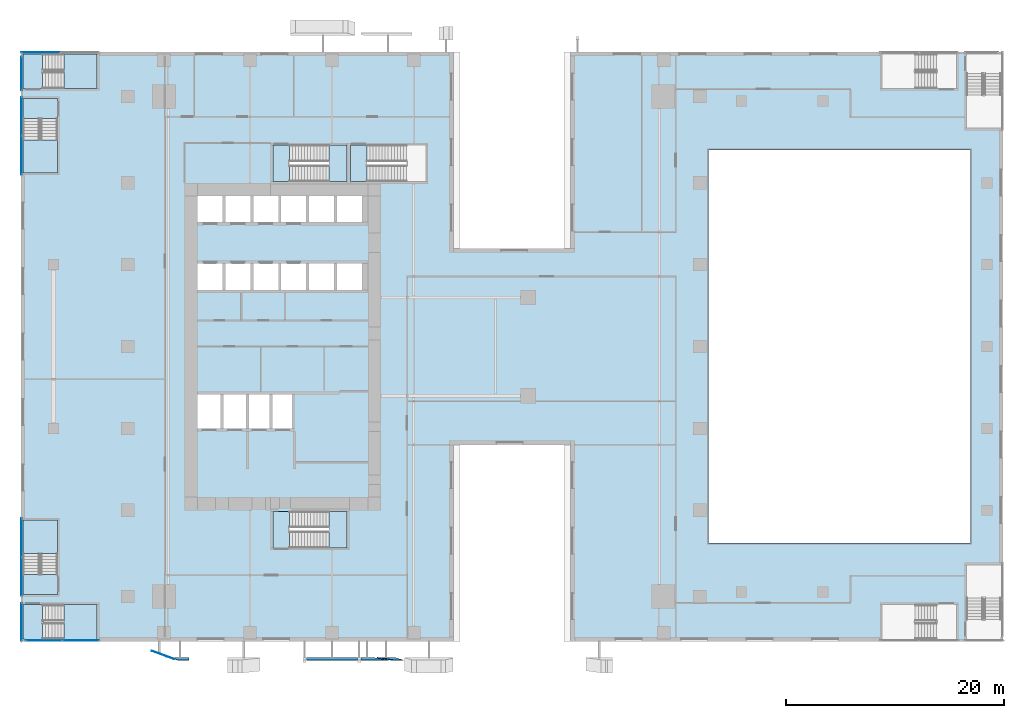
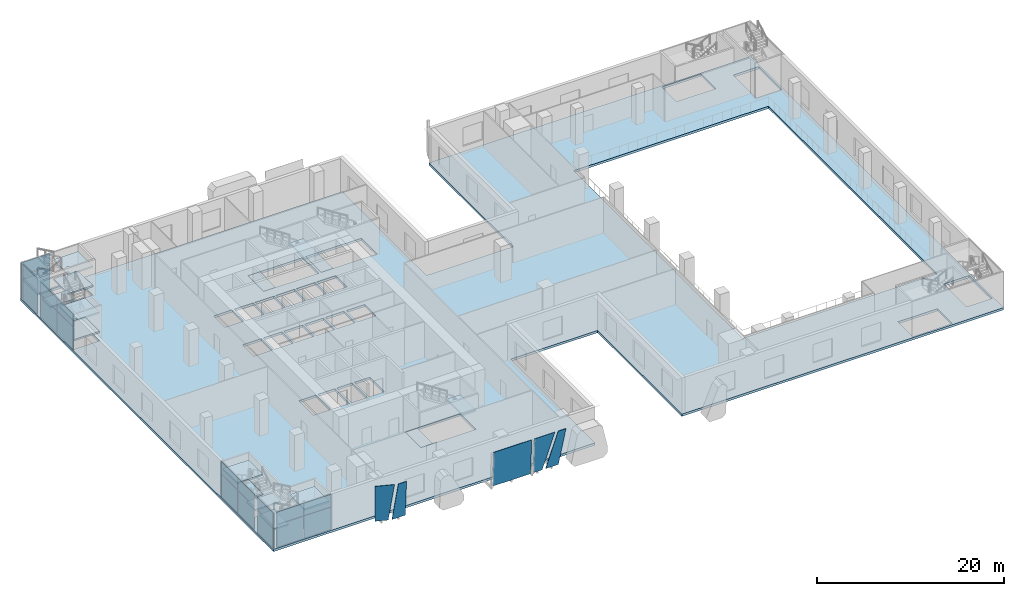
# One storey, part 8 of 23: 23 plates, 18 slabs, 12 elements without a shape of their own.
"""IFC4 building model written with IfcOpenShell, lengths in metres."""

from ifc_helpers import new_model, si_unit, direction, frame, origin, origin_2d, place, context, subcontext, project, spatial, polyline, rectangle, outline, extrude, source, transform, mapped, material, layer, layer_set, type_object, element, aggregate, save


model = new_model("IFC4")

# Units and contexts
model_context = context("Model", 3, precision=1e-05, world=origin(), true_north=direction((0.0, 1.0)))
body_context = subcontext(model_context, "Body", "Model", "MODEL_VIEW")
ifc_project = project(units=[si_unit("LENGTHUNIT", "METRE"), si_unit("AREAUNIT", "SQUARE_METRE"), si_unit("VOLUMEUNIT", "CUBIC_METRE"), si_unit("PLANEANGLEUNIT", "RADIAN"), si_unit("MASSUNIT", "GRAM", prefix="KILO")], contexts=[model_context])

# Site, building, storey
site_placement = place(None, origin())
site = spatial("IfcSite", under=ifc_project, at=site_placement, CompositionType="ELEMENT")
building_placement = place(site_placement, origin())
building = spatial("IfcBuilding", under=site, at=building_placement, Name="Khomas Fold Tower", CompositionType="ELEMENT")
storey_placement = place(building_placement, frame((0.0, 0.0, 18.5)))
storey = spatial("IfcBuildingStorey", under=building, at=storey_placement, Name="L03", CompositionType="ELEMENT", Elevation=18.5)

# Plates
ifc_material_1 = material(Name="Clear laminated glass", Category="glass")
ifc_layer_1 = layer(ifc_material_1, 0.0400390625)
ifc_layer_set_1 = layer_set([ifc_layer_1], Name="Clear laminated glass")
plate_type_1 = type_object("IfcPlateType", Name="SK-Clear laminated glass leaf", PredefinedType="SHEET", material=ifc_layer_set_1)
plate_1_placement = place(storey_placement, frame((6.39990234375, -1.4765625, 0.0), z_axis=(0.0, 0.99863156095, 0.052297279792), x_axis=(-1.0, 0.0, 0.0)))
element("IfcPlate", 1, at=plate_1_placement, inside=storey, type_object=plate_type_1, Name="OUTER SKIN glass L03 SG098-1", PredefinedType="SHEET", context=body_context, shape_type="SweptSolid", body=[
    extrude(outline(polyline([(0.0, 0.0), (1.64501953125, 0.0), (1.002685546875, 4.556283824831729), (0.0, 4.556283824831729), (0.0, 0.0)])), origin(), (0.0, 0.0, -1.0), 0.0400390625),
])
plate_2_placement = place(storey_placement, frame((4.993408203125, -1.639892578125, 4.550048828125), z_axis=(-0.348054224022, -0.93747440324, 2.0272733e-05), x_axis=(-0.139590228086, 0.051803997624, -0.988853332933)))
element("IfcPlate", 2, at=plate_2_placement, inside=storey, type_object=plate_type_1, Name="OUTER SKIN glass L03 SG098-2", PredefinedType="SHEET", context=body_context, shape_type="SweptSolid", body=[
    extrude(outline(polyline([(0.0, 0.0), (4.601338417395284, -1.1102230246251565e-16), (4.8159257067858885, -1.4251546359244451), (0.31659475808558885, -2.1026244462339356), (0.0, 0.0)])), origin(), (0.0, 0.0, -1.0), 0.0400390625),
])
plate_3_placement = place(storey_placement, frame((25.104736328125, -1.71484375, 4.550048828125), z_axis=(0.0, 0.99863156095, 0.052297279792), x_axis=(1.0, 0.0, 0.0)))
element("IfcPlate", 3, at=plate_3_placement, inside=storey, type_object=plate_type_1, Name="OUTER SKIN glass L03 SG102-3", PredefinedType="SHEET", context=body_context, shape_type="SweptSolid", body=[
    extrude(outline(polyline([(0.0, 0.0), (0.953125, 0.0), (0.14892578125, 4.556283824831729), (-1.428466796875, 4.556283824831729), (0.0, 0.0)])), origin(), (0.0, 0.0, -1.0), 0.0400390625),
])
plate_4_placement = place(storey_placement, frame((21.830078125, -1.71484375, 4.550048828125), z_axis=(0.0, 0.99863156095, 0.052297279792), x_axis=(0.0, 0.052297279792, -0.99863156095)))
element("IfcPlate", 4, at=plate_4_placement, inside=storey, type_object=plate_type_1, Name="OUTER SKIN glass L03 SG101-5", PredefinedType="SHEET", context=body_context, shape_type="SweptSolid", body=[
    extrude(outline(polyline([(0.0, 0.0), (4.556283824831729, 0.0), (4.556283824831729, 4.66015625), (0.0, 4.66015625), (0.0, 0.0)])), origin(), (0.0, 0.0, -1.0), 0.0400390625),
])
plate_5_placement = place(storey_placement, frame((24.685546875, -1.71484375, 4.550048828125), z_axis=(0.0, 0.99863156095, 0.052297279792), x_axis=(-0.299204430388, 0.049901490782, -0.952883282493)))
element("IfcPlate", 5, at=plate_5_placement, inside=storey, type_object=plate_type_1, Name="OUTER SKIN glass L03 SG102-7", PredefinedType="SHEET", context=body_context, shape_type="SweptSolid", body=[
    extrude(outline(polyline([(0.0, 0.0), (4.7750326946896795, 0.0), (5.100242197640995, 1.0371214771907928), (0.7526861451954963, 2.400381783686867), (0.0, 0.0)])), origin(), (0.0, 0.0, -1.0), 0.0400390625),
])

# Slab
ifc_material_2 = material(Name="Concrete C40/50", Category="concrete")
ifc_layer_2 = layer(ifc_material_2, 0.300048828125)
ifc_layer_set_2 = layer_set([ifc_layer_2], Name="Concrete C40/50")
slab_type_1 = type_object("IfcSlabType", Name="RC floor slab 300", PredefinedType="FLOOR", material=ifc_layer_set_2)
shared_shape_1 = source(origin(), body_context, "Body", "SweptSolid", [
    extrude(outline(polyline([(-9.0, 0.0), (30.64990234375, 0.0), (30.64990234375, 18.0), (41.35009765625, 18.0), (41.35009765625, 0.0), (81.0, 0.0), (81.0, 54.0), (41.35009765625, 54.0), (41.35009765625, 36.0), (30.64990234375, 36.0), (30.64990234375, 54.0), (-9.0, 54.0), (-9.0, 0.0)]), holes=[polyline([(-8.800048828125, 6.2099609375), (-8.800048828125, 11.10009765625), (-5.64990234375, 11.10009765625), (-5.64990234375, 6.2099609375), (-8.800048828125, 6.2099609375)]), polyline([(-8.800048828125, 42.89990234375), (-8.800048828125, 47.7900390625), (-5.64990234375, 47.7900390625), (-5.64990234375, 42.89990234375), (-8.800048828125, 42.89990234375)]), polyline([(-6.889892578125, 0.199951171875), (-6.889892578125, 3.35009765625), (-2.0, 3.35009765625), (-2.0, 0.199951171875), (-6.889892578125, 0.199951171875)]), polyline([(-6.889892578125, 50.64990234375), (-6.889892578125, 53.800048828125), (-2.0, 53.800048828125), (-2.0, 50.64990234375), (-6.889892578125, 50.64990234375)]), polyline([(7.199951171875, 19.5), (7.199951171875, 22.60009765625), (9.300048828125, 22.60009765625), (9.300048828125, 19.5), (7.199951171875, 19.5)]), polyline([(7.199951171875, 32.199951171875), (7.199951171875, 34.60009765625), (9.5, 34.60009765625), (9.5, 32.199951171875), (7.199951171875, 32.199951171875)]), polyline([(7.199951171875, 38.39990234375), (7.199951171875, 40.800048828125), (9.5, 40.800048828125), (9.5, 38.39990234375), (7.199951171875, 38.39990234375)]), polyline([(9.550048828125, 19.5), (9.550048828125, 22.60009765625), (11.64990234375, 22.60009765625), (11.64990234375, 19.5), (9.550048828125, 19.5)]), polyline([(9.75, 32.199951171875), (9.75, 34.60009765625), (12.050048828125, 34.60009765625), (12.050048828125, 32.199951171875), (9.75, 32.199951171875)]), polyline([(9.75, 38.39990234375), (9.75, 40.800048828125), (12.050048828125, 40.800048828125), (12.050048828125, 38.39990234375), (9.75, 38.39990234375)]), polyline([(11.89990234375, 19.5), (11.89990234375, 22.60009765625), (13.800048828125, 22.60009765625), (13.800048828125, 19.5), (11.89990234375, 19.5)]), polyline([(12.300048828125, 32.199951171875), (12.300048828125, 34.60009765625), (14.60009765625, 34.60009765625), (14.60009765625, 32.199951171875), (12.300048828125, 32.199951171875)]), polyline([(12.300048828125, 38.39990234375), (12.300048828125, 40.800048828125), (14.60009765625, 40.800048828125), (14.60009765625, 38.39990234375), (12.300048828125, 38.39990234375)]), polyline([(14.050048828125, 19.5), (14.050048828125, 22.60009765625), (15.949951171875, 22.60009765625), (15.949951171875, 19.5), (14.050048828125, 19.5)]), polyline([(14.10009765625, 8.550048828125), (14.10009765625, 11.89990234375), (20.89990234375, 11.89990234375), (20.89990234375, 8.550048828125), (14.10009765625, 8.550048828125)]), polyline([(14.10009765625, 42.10009765625), (14.10009765625, 45.449951171875), (20.89990234375, 45.449951171875), (20.89990234375, 42.10009765625), (14.10009765625, 42.10009765625)]), polyline([(14.85009765625, 32.199951171875), (14.85009765625, 34.60009765625), (17.14990234375, 34.60009765625), (17.14990234375, 32.199951171875), (14.85009765625, 32.199951171875)]), polyline([(14.85009765625, 38.39990234375), (14.85009765625, 40.800048828125), (17.14990234375, 40.800048828125), (17.14990234375, 38.39990234375), (14.85009765625, 38.39990234375)]), polyline([(17.39990234375, 32.199951171875), (17.39990234375, 34.60009765625), (19.699951171875, 34.60009765625), (19.699951171875, 32.199951171875), (17.39990234375, 32.199951171875)]), polyline([(17.39990234375, 38.39990234375), (17.39990234375, 40.800048828125), (19.699951171875, 40.800048828125), (19.699951171875, 38.39990234375), (17.39990234375, 38.39990234375)]), polyline([(19.949951171875, 32.199951171875), (19.949951171875, 34.60009765625), (22.25, 34.60009765625), (22.25, 32.199951171875), (19.949951171875, 32.199951171875)]), polyline([(19.949951171875, 38.39990234375), (19.949951171875, 40.800048828125), (22.25, 40.800048828125), (22.25, 38.39990234375), (19.949951171875, 38.39990234375)]), polyline([(21.199951171875, 42.10009765625), (21.199951171875, 45.449951171875), (28.10009765625, 45.449951171875), (28.10009765625, 42.10009765625), (21.199951171875, 42.10009765625)]), polyline([(54.0, 9.0), (54.0, 45.0), (78.0, 45.0), (78.0, 9.0), (54.0, 9.0)]), polyline([(69.89990234375, 0.199951171875), (69.89990234375, 3.35009765625), (74.7900390625, 3.35009765625), (74.7900390625, 0.199951171875), (69.89990234375, 0.199951171875)]), polyline([(69.89990234375, 50.64990234375), (69.89990234375, 53.800048828125), (74.7900390625, 53.800048828125), (74.7900390625, 50.64990234375), (69.89990234375, 50.64990234375)]), polyline([(77.64990234375, 2.110107421875), (77.64990234375, 7.0), (80.800048828125, 7.0), (80.800048828125, 2.110107421875), (77.64990234375, 2.110107421875)]), polyline([(77.64990234375, 47.0), (77.64990234375, 51.889892578125), (80.800048828125, 51.889892578125), (80.800048828125, 47.0), (77.64990234375, 47.0)])]), origin(), (0.0, 0.0, 1.0), 0.300048828125),
])
slab_1_placement = place(storey_placement, frame((0.0, 0.0, -0.300048828125)))
element("IfcSlab", 6, at=slab_1_placement, inside=storey, type_object=slab_type_1, Name="S-L03", PredefinedType="FLOOR", context=body_context, shape_type="MappedRepresentation", body=[
    mapped(shared_shape_1, transform((0.0, 0.0, 0.0))),
])

# Curtain wall, plate
ifc_material_3 = material(Name="Aluminium framed double glazing", Category="aluminium")
curtain_wall_type = type_object("IfcCurtainWallType", Name="Shopfront glazing PD-CW", PredefinedType="NOTDEFINED", material=ifc_material_3)
curtain_wall_1_placement = place(storey_placement, origin())
curtain_wall_1 = element("IfcCurtainWall", 7, at=curtain_wall_1_placement, inside=storey, type_object=curtain_wall_type, Name="Podium stair-tower glazing", PredefinedType="NOTDEFINED")
ifc_material_4 = material(Name="Double glazed unit")
ifc_layer_3 = layer(ifc_material_4, 0.031982421875)
ifc_layer_set_3 = layer_set([ifc_layer_3], Name="Double glazed unit")
plate_type_2 = type_object("IfcPlateType", Name="Shopfront glazing panel PD-CW-P", PredefinedType="CURTAIN_PANEL", material=ifc_layer_set_3)
shared_shape_2 = source(origin(), body_context, "Body", "SweptSolid", [
    extrude(rectangle(XDim=3.0400390625, YDim=0.031982421875, at=origin_2d()), origin(), (0.0, 0.0, 1.0), 2.909912109375),
])
plate_6_placement = place(storey_placement, frame((-8.919921875, 52.02001953125, 0.06005859375), z_axis=(0.0, 0.0, 1.0), x_axis=(0.0, -1.0, 0.0)))
plate_6 = element("IfcPlate", 8, at=plate_6_placement, type_object=plate_type_2, Name="PD-CW panel 1.1", PredefinedType="CURTAIN_PANEL", context=body_context, shape_type="MappedRepresentation", body=[
    mapped(shared_shape_2, transform((0.0, 0.0, 0.0))),
])

# Curtain wall, plates
curtain_wall_2_placement = place(storey_placement, origin())
curtain_wall_2 = element("IfcCurtainWall", 9, at=curtain_wall_2_placement, inside=storey, type_object=curtain_wall_type, Name="Podium stair-tower glazing", PredefinedType="NOTDEFINED")
shared_shape_3 = source(origin(), body_context, "Body", "SweptSolid", [
    extrude(rectangle(XDim=3.52001953125, YDim=0.031982421875, at=origin_2d()), origin(), (0.0, 0.0, 1.0), 2.909912109375),
])
plate_7_placement = place(storey_placement, frame((-8.919921875, 48.090087890625, 0.06005859375), z_axis=(0.0, 0.0, 1.0), x_axis=(0.0, -1.0, 0.0)))
plate_7 = element("IfcPlate", 10, at=plate_7_placement, type_object=plate_type_2, Name="PD-CW panel 1.1", PredefinedType="CURTAIN_PANEL", context=body_context, shape_type="MappedRepresentation", body=[
    mapped(shared_shape_3, transform((0.0, 0.0, 0.0))),
])
plate_8_placement = place(storey_placement, frame((-8.919921875, 44.510009765625, 0.06005859375), z_axis=(0.0, 0.0, 1.0), x_axis=(0.0, -1.0, 0.0)))
plate_8 = element("IfcPlate", 11, at=plate_8_placement, type_object=plate_type_2, Name="PD-CW panel 2.1", PredefinedType="CURTAIN_PANEL", context=body_context, shape_type="MappedRepresentation", body=[
    mapped(shared_shape_3, transform((0.0, 0.0, 0.0))),
])

curtain_wall_3_placement = place(storey_placement, origin())
curtain_wall_3 = element("IfcCurtainWall", 12, at=curtain_wall_3_placement, inside=storey, type_object=curtain_wall_type, Name="Podium stair-tower glazing", PredefinedType="NOTDEFINED")
plate_9_placement = place(storey_placement, frame((-8.919921875, 9.489990234375, 0.06005859375), z_axis=(0.0, 0.0, 1.0), x_axis=(0.0, -1.0, 0.0)))
plate_9 = element("IfcPlate", 13, at=plate_9_placement, type_object=plate_type_2, Name="PD-CW panel 1.1", PredefinedType="CURTAIN_PANEL", context=body_context, shape_type="MappedRepresentation", body=[
    mapped(shared_shape_3, transform((0.0, 0.0, 0.0))),
])
plate_10_placement = place(storey_placement, frame((-8.919921875, 5.909912109375, 0.06005859375), z_axis=(0.0, 0.0, 1.0), x_axis=(0.0, -1.0, 0.0)))
plate_10 = element("IfcPlate", 14, at=plate_10_placement, type_object=plate_type_2, Name="PD-CW panel 2.1", PredefinedType="CURTAIN_PANEL", context=body_context, shape_type="MappedRepresentation", body=[
    mapped(shared_shape_3, transform((0.0, 0.0, 0.0))),
])

# Curtain wall, plate
curtain_wall_4_placement = place(storey_placement, origin())
curtain_wall_4 = element("IfcCurtainWall", 15, at=curtain_wall_4_placement, inside=storey, type_object=curtain_wall_type, Name="Podium stair-tower glazing", PredefinedType="NOTDEFINED")
shared_shape_4 = source(origin(), body_context, "Body", "SweptSolid", [
    extrude(rectangle(XDim=3.43994140625, YDim=0.031982421875, at=origin_2d()), origin(), (0.0, 0.0, 1.0), 2.909912109375),
])
plate_11_placement = place(storey_placement, frame((-8.919921875, 1.780029296875, 0.06005859375), z_axis=(0.0, 0.0, 1.0), x_axis=(0.0, -1.0, 0.0)))
plate_11 = element("IfcPlate", 16, at=plate_11_placement, type_object=plate_type_2, Name="PD-CW panel 1.1", PredefinedType="CURTAIN_PANEL", context=body_context, shape_type="MappedRepresentation", body=[
    mapped(shared_shape_4, transform((0.0, 0.0, 0.0))),
])

# Curtain wall, plates
curtain_wall_5_placement = place(storey_placement, origin())
curtain_wall_5 = element("IfcCurtainWall", 17, at=curtain_wall_5_placement, inside=storey, type_object=curtain_wall_type, Name="Podium stair-tower glazing", PredefinedType="NOTDEFINED")
shared_shape_5 = source(origin(), body_context, "Body", "SweptSolid", [
    extrude(rectangle(XDim=3.31494140625, YDim=0.031982421875, at=origin_2d()), origin(), (0.0, 0.0, 1.0), 2.909912109375),
])
plate_12_placement = place(storey_placement, frame((-6.882568359375, 0.080078125, 0.06005859375), z_axis=(0.0, 0.0, 1.0), x_axis=(1.0, 0.0, 0.0)))
plate_12 = element("IfcPlate", 18, at=plate_12_placement, type_object=plate_type_2, Name="PD-CW panel 1.1", PredefinedType="CURTAIN_PANEL", context=body_context, shape_type="MappedRepresentation", body=[
    mapped(shared_shape_5, transform((0.0, 0.0, 0.0))),
])
plate_13_placement = place(storey_placement, frame((-3.507568359375, 0.080078125, 0.06005859375), z_axis=(0.0, 0.0, 1.0), x_axis=(1.0, 0.0, 0.0)))
plate_13 = element("IfcPlate", 19, at=plate_13_placement, type_object=plate_type_2, Name="PD-CW panel 2.1", PredefinedType="CURTAIN_PANEL", context=body_context, shape_type="MappedRepresentation", body=[
    mapped(shared_shape_5, transform((0.0, 0.0, 0.0))),
])

# Curtain wall, plate
curtain_wall_6_placement = place(storey_placement, origin())
curtain_wall_6 = element("IfcCurtainWall", 20, at=curtain_wall_6_placement, inside=storey, type_object=curtain_wall_type, Name="Podium stair-tower glazing", PredefinedType="NOTDEFINED")
shared_shape_6 = source(origin(), body_context, "Body", "SweptSolid", [
    extrude(rectangle(XDim=3.514892578125, YDim=0.031982421875, at=origin_2d()), origin(), (0.0, 0.0, 1.0), 2.909912109375),
])
plate_14_placement = place(storey_placement, frame((-7.1826171875, 53.919921875, 0.06005859375), z_axis=(0.0, 0.0, 1.0), x_axis=(-1.0, 0.0, 0.0)))
plate_14 = element("IfcPlate", 21, at=plate_14_placement, type_object=plate_type_2, Name="PD-CW panel 2.1", PredefinedType="CURTAIN_PANEL", context=body_context, shape_type="MappedRepresentation", body=[
    mapped(shared_shape_6, transform((0.0, 0.0, 0.0))),
])

# Plate
shared_shape_7 = source(origin(), body_context, "Body", "SweptSolid", [
    extrude(rectangle(XDim=3.0400390625, YDim=0.031982421875, at=origin_2d()), origin(), (0.0, 0.0, 1.0), 1.610107421875),
])
plate_15_placement = place(storey_placement, frame((-8.919921875, 52.02001953125, 3.02978515625), z_axis=(0.0, 0.0, 1.0), x_axis=(0.0, -1.0, 0.0)))
plate_15 = element("IfcPlate", 22, at=plate_15_placement, type_object=plate_type_2, Name="PD-CW panel 1.2", PredefinedType="CURTAIN_PANEL", context=body_context, shape_type="MappedRepresentation", body=[
    mapped(shared_shape_7, transform((0.0, 0.0, 0.0))),
])

aggregate(curtain_wall_1, [plate_6, plate_15])

shared_shape_8 = source(origin(), body_context, "Body", "SweptSolid", [
    extrude(rectangle(XDim=3.52001953125, YDim=0.031982421875, at=origin_2d()), origin(), (0.0, 0.0, 1.0), 1.610107421875),
])
plate_16_placement = place(storey_placement, frame((-8.919921875, 48.090087890625, 3.02978515625), z_axis=(0.0, 0.0, 1.0), x_axis=(0.0, -1.0, 0.0)))
plate_16 = element("IfcPlate", 23, at=plate_16_placement, type_object=plate_type_2, Name="PD-CW panel 1.2", PredefinedType="CURTAIN_PANEL", context=body_context, shape_type="MappedRepresentation", body=[
    mapped(shared_shape_8, transform((0.0, 0.0, 0.0))),
])

plate_17_placement = place(storey_placement, frame((-8.919921875, 44.510009765625, 3.02978515625), z_axis=(0.0, 0.0, 1.0), x_axis=(0.0, -1.0, 0.0)))
plate_17 = element("IfcPlate", 24, at=plate_17_placement, type_object=plate_type_2, Name="PD-CW panel 2.2", PredefinedType="CURTAIN_PANEL", context=body_context, shape_type="MappedRepresentation", body=[
    mapped(shared_shape_8, transform((0.0, 0.0, 0.0))),
])

aggregate(curtain_wall_2, [plate_7, plate_16, plate_8, plate_17])

plate_18_placement = place(storey_placement, frame((-8.919921875, 9.489990234375, 3.02978515625), z_axis=(0.0, 0.0, 1.0), x_axis=(0.0, -1.0, 0.0)))
plate_18 = element("IfcPlate", 25, at=plate_18_placement, type_object=plate_type_2, Name="PD-CW panel 1.2", PredefinedType="CURTAIN_PANEL", context=body_context, shape_type="MappedRepresentation", body=[
    mapped(shared_shape_8, transform((0.0, 0.0, 0.0))),
])

plate_19_placement = place(storey_placement, frame((-8.919921875, 5.909912109375, 3.02978515625), z_axis=(0.0, 0.0, 1.0), x_axis=(0.0, -1.0, 0.0)))
plate_19 = element("IfcPlate", 26, at=plate_19_placement, type_object=plate_type_2, Name="PD-CW panel 2.2", PredefinedType="CURTAIN_PANEL", context=body_context, shape_type="MappedRepresentation", body=[
    mapped(shared_shape_8, transform((0.0, 0.0, 0.0))),
])

aggregate(curtain_wall_3, [plate_9, plate_18, plate_10, plate_19])

shared_shape_9 = source(origin(), body_context, "Body", "SweptSolid", [
    extrude(rectangle(XDim=3.43994140625, YDim=0.031982421875, at=origin_2d()), origin(), (0.0, 0.0, 1.0), 1.610107421875),
])
plate_20_placement = place(storey_placement, frame((-8.919921875, 1.780029296875, 3.02978515625), z_axis=(0.0, 0.0, 1.0), x_axis=(0.0, -1.0, 0.0)))
plate_20 = element("IfcPlate", 27, at=plate_20_placement, type_object=plate_type_2, Name="PD-CW panel 1.2", PredefinedType="CURTAIN_PANEL", context=body_context, shape_type="MappedRepresentation", body=[
    mapped(shared_shape_9, transform((0.0, 0.0, 0.0))),
])

aggregate(curtain_wall_4, [plate_11, plate_20])

shared_shape_10 = source(origin(), body_context, "Body", "SweptSolid", [
    extrude(rectangle(XDim=3.31494140625, YDim=0.031982421875, at=origin_2d()), origin(), (0.0, 0.0, 1.0), 1.610107421875),
])
plate_21_placement = place(storey_placement, frame((-6.882568359375, 0.080078125, 3.02978515625), z_axis=(0.0, 0.0, 1.0), x_axis=(1.0, 0.0, 0.0)))
plate_21 = element("IfcPlate", 28, at=plate_21_placement, type_object=plate_type_2, Name="PD-CW panel 1.2", PredefinedType="CURTAIN_PANEL", context=body_context, shape_type="MappedRepresentation", body=[
    mapped(shared_shape_10, transform((0.0, 0.0, 0.0))),
])

plate_22_placement = place(storey_placement, frame((-3.507568359375, 0.080078125, 3.02978515625), z_axis=(0.0, 0.0, 1.0), x_axis=(1.0, 0.0, 0.0)))
plate_22 = element("IfcPlate", 29, at=plate_22_placement, type_object=plate_type_2, Name="PD-CW panel 2.2", PredefinedType="CURTAIN_PANEL", context=body_context, shape_type="MappedRepresentation", body=[
    mapped(shared_shape_10, transform((0.0, 0.0, 0.0))),
])

aggregate(curtain_wall_5, [plate_12, plate_21, plate_13, plate_22])

shared_shape_11 = source(origin(), body_context, "Body", "SweptSolid", [
    extrude(rectangle(XDim=3.514892578125, YDim=0.031982421875, at=origin_2d()), origin(), (0.0, 0.0, 1.0), 1.610107421875),
])
plate_23_placement = place(storey_placement, frame((-7.1826171875, 53.919921875, 3.02978515625), z_axis=(0.0, 0.0, 1.0), x_axis=(-1.0, 0.0, 0.0)))
plate_23 = element("IfcPlate", 30, at=plate_23_placement, type_object=plate_type_2, Name="PD-CW panel 2.2", PredefinedType="CURTAIN_PANEL", context=body_context, shape_type="MappedRepresentation", body=[
    mapped(shared_shape_11, transform((0.0, 0.0, 0.0))),
])

aggregate(curtain_wall_6, [plate_14, plate_23])

# Stair, slab
ifc_material_5 = material(Name="Concrete C40/50", Category="concrete")
stair_type_1 = type_object("IfcStairType", Name="Stair ST1", PredefinedType="HALF_TURN_STAIR", material=ifc_material_5)
stair_1_placement = place(storey_placement, origin())
stair_1 = element("IfcStair", 31, at=stair_1_placement, inside=storey, type_object=stair_type_1, Name="L03 ST1", PredefinedType="HALF_TURN_STAIR")
ifc_material_6 = material(Name="Concrete C40/50", Category="concrete")
ifc_layer_4 = layer(ifc_material_6, 0.199951171875)
ifc_layer_set_4 = layer_set([ifc_layer_4], Name="Concrete C40/50")
slab_type_2 = type_object("IfcSlabType", Name="Stair landing 200", PredefinedType="LANDING", material=ifc_layer_set_4)
shared_shape_12 = source(origin(), body_context, "Body", "SweptSolid", [
    extrude(outline(polyline([(19.239990234375, 42.10009765625), (20.89990234375, 42.10009765625), (20.89990234375, 45.449951171875), (19.239990234375, 45.449951171875), (19.239990234375, 42.10009765625)])), origin(), (0.0, 0.0, 1.0), 0.199951171875),
])
slab_2_placement = place(storey_placement, frame((0.0, 0.0, 2.300048828125)))
slab_2 = element("IfcSlab", 32, at=slab_2_placement, type_object=slab_type_2, Name="ST1 landing 1", PredefinedType="LANDING", context=body_context, shape_type="MappedRepresentation", body=[
    mapped(shared_shape_12, transform((0.0, 0.0, 0.0))),
])
aggregate(stair_1, [slab_2])

# Slab
ifc_material_7 = material(Name="Concrete C40/50", Category="concrete")
ifc_layer_5 = layer(ifc_material_7, 0.300048828125)
ifc_layer_set_5 = layer_set([ifc_layer_5], Name="Concrete C40/50")
slab_type_3 = type_object("IfcSlabType", Name="Stair floor landing 300", PredefinedType="LANDING", material=ifc_layer_set_5)
shared_shape_13 = source(origin(), body_context, "Body", "SweptSolid", [
    extrude(outline(polyline([(14.10009765625, 45.449951171875), (15.60009765625, 45.449951171875), (15.60009765625, 42.10009765625), (14.10009765625, 42.10009765625), (14.10009765625, 45.449951171875)])), origin(), (0.0, 0.0, 1.0), 0.300048828125),
])
slab_3_placement = place(storey_placement, frame((0.0, 0.0, -0.300048828125)))
element("IfcSlab", 33, at=slab_3_placement, inside=storey, type_object=slab_type_3, Name="ST1 floor landing", PredefinedType="LANDING", context=body_context, shape_type="MappedRepresentation", body=[
    mapped(shared_shape_13, transform((0.0, 0.0, 0.0))),
])

# Stair, slab
ifc_material_8 = material(Name="Concrete C40/50", Category="concrete")
stair_type_2 = type_object("IfcStairType", Name="Stair ST2", PredefinedType="HALF_TURN_STAIR", material=ifc_material_8)
stair_2_placement = place(storey_placement, origin())
stair_2 = element("IfcStair", 34, at=stair_2_placement, inside=storey, type_object=stair_type_2, Name="L03 ST2", PredefinedType="HALF_TURN_STAIR")
shared_shape_14 = source(origin(), body_context, "Body", "SweptSolid", [
    extrude(outline(polyline([(19.239990234375, 8.550048828125), (20.89990234375, 8.550048828125), (20.89990234375, 11.89990234375), (19.239990234375, 11.89990234375), (19.239990234375, 8.550048828125)])), origin(), (0.0, 0.0, 1.0), 0.199951171875),
])
slab_4_placement = place(storey_placement, frame((0.0, 0.0, 2.300048828125)))
slab_4 = element("IfcSlab", 35, at=slab_4_placement, type_object=slab_type_2, Name="ST2 landing 1", PredefinedType="LANDING", context=body_context, shape_type="MappedRepresentation", body=[
    mapped(shared_shape_14, transform((0.0, 0.0, 0.0))),
])
aggregate(stair_2, [slab_4])

# Slabs
shared_shape_15 = source(origin(), body_context, "Body", "SweptSolid", [
    extrude(outline(polyline([(14.10009765625, 11.89990234375), (15.60009765625, 11.89990234375), (15.60009765625, 8.550048828125), (14.10009765625, 8.550048828125), (14.10009765625, 11.89990234375)])), origin(), (0.0, 0.0, 1.0), 0.300048828125),
])
slab_5_placement = place(storey_placement, frame((0.0, 0.0, -0.300048828125)))
element("IfcSlab", 36, at=slab_5_placement, inside=storey, type_object=slab_type_3, Name="ST2 floor landing", PredefinedType="LANDING", context=body_context, shape_type="MappedRepresentation", body=[
    mapped(shared_shape_15, transform((0.0, 0.0, 0.0))),
])
shared_shape_16 = source(origin(), body_context, "Body", "SweptSolid", [
    extrude(outline(polyline([(21.199951171875, 45.449951171875), (22.699951171875, 45.449951171875), (22.699951171875, 42.10009765625), (21.199951171875, 42.10009765625), (21.199951171875, 45.449951171875)])), origin(), (0.0, 0.0, 1.0), 0.300048828125),
])
slab_6_placement = place(storey_placement, frame((0.0, 0.0, -0.300048828125)))
element("IfcSlab", 37, at=slab_6_placement, inside=storey, type_object=slab_type_3, Name="ST3 floor landing", PredefinedType="LANDING", context=body_context, shape_type="MappedRepresentation", body=[
    mapped(shared_shape_16, transform((0.0, 0.0, 0.0))),
])

# Stair, slabs
ifc_material_9 = material(Name="Concrete C40/50", Category="concrete")
stair_type_3 = type_object("IfcStairType", Name="Stair PS1", PredefinedType="HALF_TURN_STAIR", material=ifc_material_9)
stair_3_placement = place(storey_placement, origin())
stair_3 = element("IfcStair", 38, at=stair_3_placement, inside=storey, type_object=stair_type_3, Name="L03 PS1", PredefinedType="HALF_TURN_STAIR")
shared_shape_17 = source(origin(), body_context, "Body", "SweptSolid", [
    extrude(outline(polyline([(-8.800048828125, 0.199951171875), (-7.0, 0.199951171875), (-7.0, 3.35009765625), (-8.800048828125, 3.35009765625), (-8.800048828125, 0.199951171875)])), origin(), (0.0, 0.0, 1.0), 0.199951171875),
])
slab_7_placement = place(storey_placement, frame((0.0, 0.0, 2.300048828125)))
slab_7 = element("IfcSlab", 39, at=slab_7_placement, type_object=slab_type_2, Name="PS1 landing 2", PredefinedType="LANDING", context=body_context, shape_type="MappedRepresentation", body=[
    mapped(shared_shape_17, transform((0.0, 0.0, 0.0))),
])
shared_shape_18 = source(origin(), body_context, "Body", "SweptSolid", [
    extrude(outline(polyline([(-5.0400390625, 0.199951171875), (-2.0, 0.199951171875), (-2.0, 3.35009765625), (-5.0400390625, 3.35009765625), (-5.0400390625, 0.199951171875)])), origin(), (0.0, 0.0, 1.0), 0.199951171875),
])
slab_8_placement = place(storey_placement, frame((0.0, 0.0, 1.050048828125)))
slab_8 = element("IfcSlab", 40, at=slab_8_placement, type_object=slab_type_2, Name="PS1 landing 1", PredefinedType="LANDING", context=body_context, shape_type="MappedRepresentation", body=[
    mapped(shared_shape_18, transform((0.0, 0.0, 0.0))),
])
slab_9_placement = place(storey_placement, frame((0.0, 0.0, 3.550048828125)))
slab_9 = element("IfcSlab", 41, at=slab_9_placement, type_object=slab_type_2, Name="PS1 landing 3", PredefinedType="LANDING", context=body_context, shape_type="MappedRepresentation", body=[
    mapped(shared_shape_18, transform((0.0, 0.0, 0.0))),
])
aggregate(stair_3, [slab_8, slab_7, slab_9])

ifc_material_10 = material(Name="Concrete C40/50", Category="concrete")
stair_type_4 = type_object("IfcStairType", Name="Stair PS2", PredefinedType="HALF_TURN_STAIR", material=ifc_material_10)
stair_4_placement = place(storey_placement, origin())
stair_4 = element("IfcStair", 42, at=stair_4_placement, inside=storey, type_object=stair_type_4, Name="L03 PS2", PredefinedType="HALF_TURN_STAIR")
shared_shape_19 = source(origin(), body_context, "Body", "SweptSolid", [
    extrude(outline(polyline([(-5.64990234375, 4.300048828125), (-5.64990234375, 6.10009765625), (-8.800048828125, 6.10009765625), (-8.800048828125, 4.300048828125), (-5.64990234375, 4.300048828125)])), origin(), (0.0, 0.0, 1.0), 0.199951171875),
])
slab_10_placement = place(storey_placement, frame((0.0, 0.0, 2.300048828125)))
slab_10 = element("IfcSlab", 43, at=slab_10_placement, type_object=slab_type_2, Name="PS2 landing 2", PredefinedType="LANDING", context=body_context, shape_type="MappedRepresentation", body=[
    mapped(shared_shape_19, transform((0.0, 0.0, 0.0))),
])
shared_shape_20 = source(origin(), body_context, "Body", "SweptSolid", [
    extrude(outline(polyline([(-5.64990234375, 8.06005859375), (-5.64990234375, 11.10009765625), (-8.800048828125, 11.10009765625), (-8.800048828125, 8.06005859375), (-5.64990234375, 8.06005859375)])), origin(), (0.0, 0.0, 1.0), 0.199951171875),
])
slab_11_placement = place(storey_placement, frame((0.0, 0.0, 1.050048828125)))
slab_11 = element("IfcSlab", 44, at=slab_11_placement, type_object=slab_type_2, Name="PS2 landing 1", PredefinedType="LANDING", context=body_context, shape_type="MappedRepresentation", body=[
    mapped(shared_shape_20, transform((0.0, 0.0, 0.0))),
])
slab_12_placement = place(storey_placement, frame((0.0, 0.0, 3.550048828125)))
slab_12 = element("IfcSlab", 45, at=slab_12_placement, type_object=slab_type_2, Name="PS2 landing 3", PredefinedType="LANDING", context=body_context, shape_type="MappedRepresentation", body=[
    mapped(shared_shape_20, transform((0.0, 0.0, 0.0))),
])
aggregate(stair_4, [slab_11, slab_10, slab_12])

ifc_material_11 = material(Name="Concrete C40/50", Category="concrete")
stair_type_5 = type_object("IfcStairType", Name="Stair PS7", PredefinedType="HALF_TURN_STAIR", material=ifc_material_11)
stair_5_placement = place(storey_placement, origin())
stair_5 = element("IfcStair", 46, at=stair_5_placement, inside=storey, type_object=stair_type_5, Name="L03 PS7", PredefinedType="HALF_TURN_STAIR")
shared_shape_21 = source(origin(), body_context, "Body", "SweptSolid", [
    extrude(outline(polyline([(-8.800048828125, 50.64990234375), (-7.0, 50.64990234375), (-7.0, 53.800048828125), (-8.800048828125, 53.800048828125), (-8.800048828125, 50.64990234375)])), origin(), (0.0, 0.0, 1.0), 0.199951171875),
])
slab_13_placement = place(storey_placement, frame((0.0, 0.0, 2.300048828125)))
slab_13 = element("IfcSlab", 47, at=slab_13_placement, type_object=slab_type_2, Name="PS7 landing 2", PredefinedType="LANDING", context=body_context, shape_type="MappedRepresentation", body=[
    mapped(shared_shape_21, transform((0.0, 0.0, 0.0))),
])
shared_shape_22 = source(origin(), body_context, "Body", "SweptSolid", [
    extrude(outline(polyline([(-5.0400390625, 50.64990234375), (-2.0, 50.64990234375), (-2.0, 53.800048828125), (-5.0400390625, 53.800048828125), (-5.0400390625, 50.64990234375)])), origin(), (0.0, 0.0, 1.0), 0.199951171875),
])
slab_14_placement = place(storey_placement, frame((0.0, 0.0, 1.050048828125)))
slab_14 = element("IfcSlab", 48, at=slab_14_placement, type_object=slab_type_2, Name="PS7 landing 1", PredefinedType="LANDING", context=body_context, shape_type="MappedRepresentation", body=[
    mapped(shared_shape_22, transform((0.0, 0.0, 0.0))),
])
slab_15_placement = place(storey_placement, frame((0.0, 0.0, 3.550048828125)))
slab_15 = element("IfcSlab", 49, at=slab_15_placement, type_object=slab_type_2, Name="PS7 landing 3", PredefinedType="LANDING", context=body_context, shape_type="MappedRepresentation", body=[
    mapped(shared_shape_22, transform((0.0, 0.0, 0.0))),
])
aggregate(stair_5, [slab_14, slab_13, slab_15])

ifc_material_12 = material(Name="Concrete C40/50", Category="concrete")
stair_type_6 = type_object("IfcStairType", Name="Stair PS8", PredefinedType="HALF_TURN_STAIR", material=ifc_material_12)
stair_6_placement = place(storey_placement, origin())
stair_6 = element("IfcStair", 50, at=stair_6_placement, inside=storey, type_object=stair_type_6, Name="L03 PS8", PredefinedType="HALF_TURN_STAIR")
shared_shape_23 = source(origin(), body_context, "Body", "SweptSolid", [
    extrude(outline(polyline([(-8.800048828125, 49.699951171875), (-8.800048828125, 47.89990234375), (-5.64990234375, 47.89990234375), (-5.64990234375, 49.699951171875), (-8.800048828125, 49.699951171875)])), origin(), (0.0, 0.0, 1.0), 0.199951171875),
])
slab_16_placement = place(storey_placement, frame((0.0, 0.0, 2.300048828125)))
slab_16 = element("IfcSlab", 51, at=slab_16_placement, type_object=slab_type_2, Name="PS8 landing 2", PredefinedType="LANDING", context=body_context, shape_type="MappedRepresentation", body=[
    mapped(shared_shape_23, transform((0.0, 0.0, 0.0))),
])
shared_shape_24 = source(origin(), body_context, "Body", "SweptSolid", [
    extrude(outline(polyline([(-8.800048828125, 45.93994140625), (-8.800048828125, 42.89990234375), (-5.64990234375, 42.89990234375), (-5.64990234375, 45.93994140625), (-8.800048828125, 45.93994140625)])), origin(), (0.0, 0.0, 1.0), 0.199951171875),
])
slab_17_placement = place(storey_placement, frame((0.0, 0.0, 1.050048828125)))
slab_17 = element("IfcSlab", 52, at=slab_17_placement, type_object=slab_type_2, Name="PS8 landing 1", PredefinedType="LANDING", context=body_context, shape_type="MappedRepresentation", body=[
    mapped(shared_shape_24, transform((0.0, 0.0, 0.0))),
])
slab_18_placement = place(storey_placement, frame((0.0, 0.0, 3.550048828125)))
slab_18 = element("IfcSlab", 53, at=slab_18_placement, type_object=slab_type_2, Name="PS8 landing 3", PredefinedType="LANDING", context=body_context, shape_type="MappedRepresentation", body=[
    mapped(shared_shape_24, transform((0.0, 0.0, 0.0))),
])
aggregate(stair_6, [slab_17, slab_16, slab_18])

save(model, "model.ifc")
